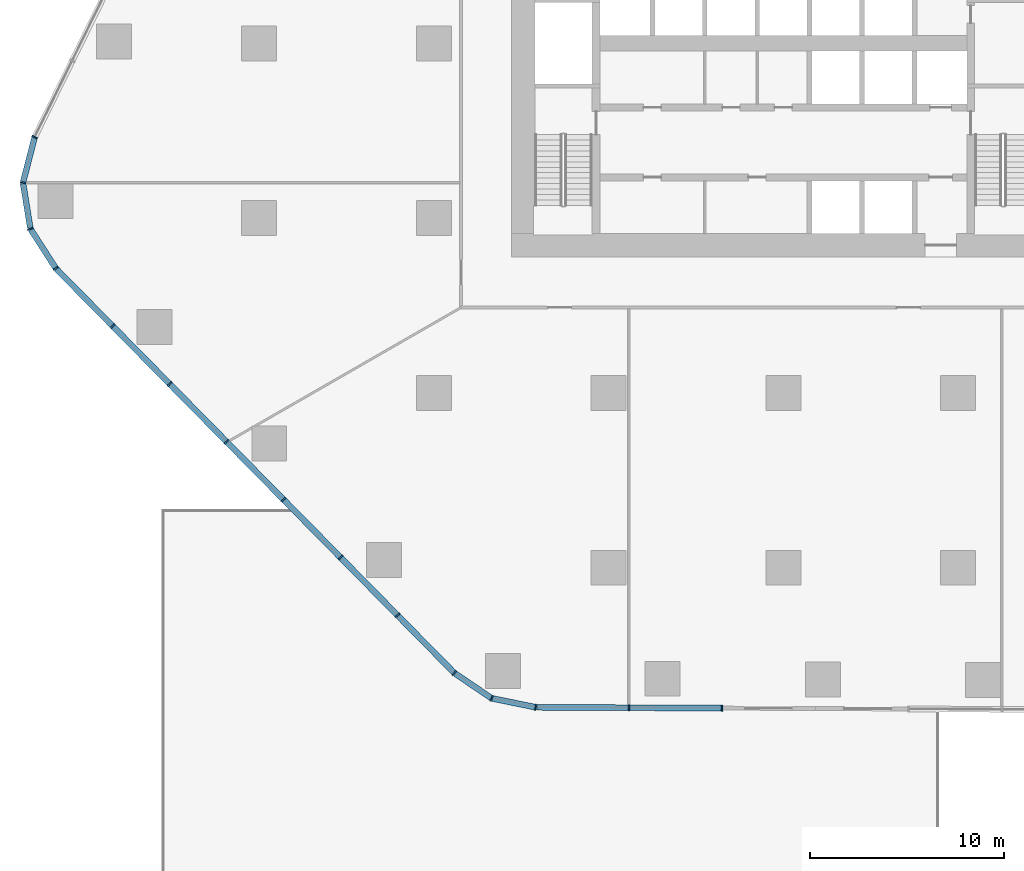
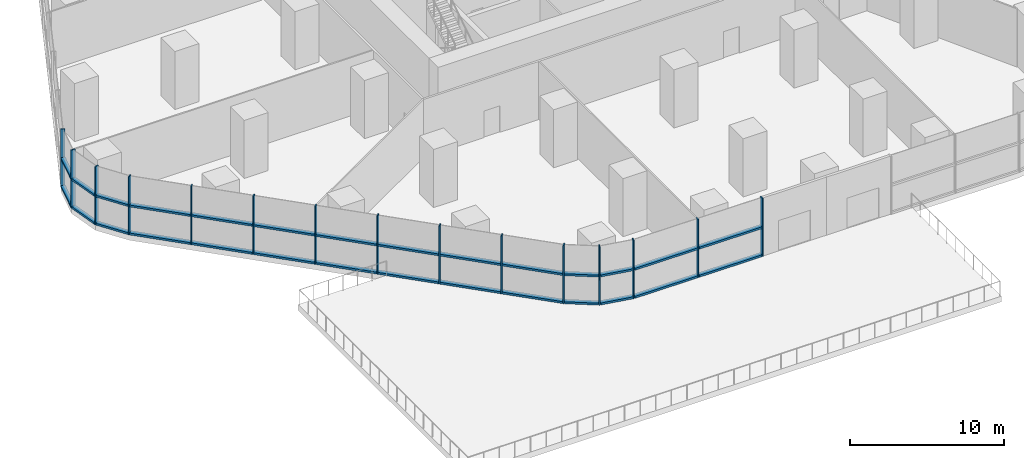
# One storey, part 2 of 15: 43 members, 5 elements without a shape of their own.
"""IFC4 building model written with IfcOpenShell, lengths in metres."""

from ifc_helpers import new_model, si_unit, direction, frame, origin, origin_2d, place, context, subcontext, project, spatial, rectangle, extrude, material, layer, layer_set, material_profile, profile_set, type_object, element, aggregate, save


model = new_model("IFC4")

# Units and contexts
model_context = context("Model", 3, precision=1e-05, world=origin(), true_north=direction((0.0, 1.0)))
body_context = subcontext(model_context, "Body", "Model", "MODEL_VIEW")
ifc_project = project(units=[si_unit("LENGTHUNIT", "METRE"), si_unit("AREAUNIT", "SQUARE_METRE"), si_unit("VOLUMEUNIT", "CUBIC_METRE"), si_unit("PLANEANGLEUNIT", "RADIAN"), si_unit("MASSUNIT", "GRAM", prefix="KILO")], contexts=[model_context])

# Site, building, storey
site_placement = place(None, origin())
site = spatial("IfcSite", under=ifc_project, at=site_placement, CompositionType="ELEMENT")
building_placement = place(site_placement, origin())
building = spatial("IfcBuilding", under=site, at=building_placement, Name="Dongbaek Canopy Tower", CompositionType="ELEMENT")
storey_placement = place(building_placement, frame((0.0, 0.0, 33.0)))
storey = spatial("IfcBuildingStorey", under=building, at=storey_placement, Name="L04", CompositionType="ELEMENT", Elevation=33.0)

# Curtain wall, member
ifc_material_1 = material(Name="Aluminium 6063-T6 pale anodised", Category="aluminium")
ifc_layer = layer(ifc_material_1, 0.300048828125)
ifc_layer_set = layer_set([ifc_layer], Name="CW-2 podium hall curtain wall")
curtain_wall_type = type_object("IfcCurtainWallType", Name="CW-2 podium hall curtain wall", PredefinedType="NOTDEFINED", material=ifc_layer_set)
curtain_wall_1_placement = place(storey_placement, origin())
curtain_wall_1 = element("IfcCurtainWall", 1, at=curtain_wall_1_placement, inside=storey, type_object=curtain_wall_type, Name="CW-2 curtain wall F2.1", PredefinedType="NOTDEFINED")
ifc_material_2 = material(Name="Aluminium 6063-T6 pale anodised", Category="aluminium")
ifc_material_profile_1 = material_profile(ifc_material_2, rectangle(XDim=0.300048828125, YDim=0.080078125, at=origin_2d()), Name="CW-2 mullion 80 x 300")
ifc_profile_set_1 = profile_set([ifc_material_profile_1], Name="Aluminium 6063-T6 pale anodised")
member_type_1 = type_object("IfcMemberType", Name="CW-2 mullion 80 x 300", PredefinedType="MULLION", material=ifc_profile_set_1)
member_1_placement = place(storey_placement, frame((-38.559814453125, -4.82763671875, 0.0), z_axis=(0.0, 0.0, 1.0), x_axis=(-0.897339166815, 0.441341613378, 0.0)))
member_1 = element("IfcMember", 2, at=member_1_placement, type_object=member_type_1, Name="CW-2 mullion F2.1.10", PredefinedType="MULLION", context=body_context, shape_type="SweptSolid", body=[
    extrude(rectangle(XDim=0.300048828125, YDim=0.080078125, at=origin_2d()), origin(), (0.0, 0.0, 1.0), 4.60009765625),
])
aggregate(curtain_wall_1, [member_1])

# Curtain wall, members
curtain_wall_2_placement = place(storey_placement, origin())
curtain_wall_2 = element("IfcCurtainWall", 3, at=curtain_wall_2_placement, inside=storey, type_object=curtain_wall_type, Name="CW-2 curtain wall K2.1", PredefinedType="NOTDEFINED")
member_2_placement = place(storey_placement, frame((-39.161865234375, -7.1728515625, 0.0), z_axis=(0.0, 0.0, 1.0), x_axis=(-0.998966870966, 0.045444369436, 0.0)))
member_2 = element("IfcMember", 4, at=member_2_placement, type_object=member_type_1, Name="CW-2 mullion K2.1.2", PredefinedType="MULLION", context=body_context, shape_type="SweptSolid", body=[
    extrude(rectangle(XDim=0.300048828125, YDim=0.080078125, at=origin_2d()), origin(), (0.0, 0.0, 1.0), 4.60009765625),
])
member_3_placement = place(storey_placement, frame((-38.77685546875, -9.552490234375, 0.0), z_axis=(0.0, 0.0, 1.0), x_axis=(-0.933704344441, -0.358044965295, 0.0)))
member_3 = element("IfcMember", 5, at=member_3_placement, type_object=member_type_1, Name="CW-2 mullion K2.1.3", PredefinedType="MULLION", context=body_context, shape_type="SweptSolid", body=[
    extrude(rectangle(XDim=0.300048828125, YDim=0.080078125, at=origin_2d()), origin(), (0.0, 0.0, 1.0), 4.60009765625),
])
member_4_placement = place(storey_placement, frame((-37.46630859375, -11.58837890625, 0.0), z_axis=(0.0, 0.0, 1.0), x_axis=(-0.840825723493, -0.541305923405, 0.0)))
member_4 = element("IfcMember", 6, at=member_4_placement, type_object=member_type_1, Name="CW-2 mullion K2.1.4", PredefinedType="MULLION", context=body_context, shape_type="SweptSolid", body=[
    extrude(rectangle(XDim=0.300048828125, YDim=0.080078125, at=origin_2d()), origin(), (0.0, 0.0, 1.0), 4.60009765625),
])

curtain_wall_3_placement = place(storey_placement, origin())
curtain_wall_3 = element("IfcCurtainWall", 7, at=curtain_wall_3_placement, inside=storey, type_object=curtain_wall_type, Name="CW-2 curtain wall F3.1", PredefinedType="NOTDEFINED")
member_5_placement = place(storey_placement, frame((-34.540283203125, -14.55908203125, 0.0), z_axis=(0.0, 0.0, 1.0), x_axis=(-0.712454553863, -0.701718254486, 0.0)))
member_5 = element("IfcMember", 8, at=member_5_placement, type_object=member_type_1, Name="CW-2 mullion F3.1.2", PredefinedType="MULLION", context=body_context, shape_type="SweptSolid", body=[
    extrude(rectangle(XDim=0.300048828125, YDim=0.080078125, at=origin_2d()), origin(), (0.0, 0.0, 1.0), 4.60009765625),
])
member_6_placement = place(storey_placement, frame((-31.607177734375, -17.537109375, 0.0), z_axis=(0.0, 0.0, 1.0), x_axis=(-0.712454553863, -0.701718254486, 0.0)))
member_6 = element("IfcMember", 9, at=member_6_placement, type_object=member_type_1, Name="CW-2 mullion F3.1.3", PredefinedType="MULLION", context=body_context, shape_type="SweptSolid", body=[
    extrude(rectangle(XDim=0.300048828125, YDim=0.080078125, at=origin_2d()), origin(), (0.0, 0.0, 1.0), 4.60009765625),
])
member_7_placement = place(storey_placement, frame((-28.674072265625, -20.515380859375, 0.0), z_axis=(0.0, 0.0, 1.0), x_axis=(-0.712454553863, -0.701718254486, 0.0)))
member_7 = element("IfcMember", 10, at=member_7_placement, type_object=member_type_1, Name="CW-2 mullion F3.1.4", PredefinedType="MULLION", context=body_context, shape_type="SweptSolid", body=[
    extrude(rectangle(XDim=0.300048828125, YDim=0.080078125, at=origin_2d()), origin(), (0.0, 0.0, 1.0), 4.60009765625),
])
member_8_placement = place(storey_placement, frame((-25.74072265625, -23.493408203125, 0.0), z_axis=(0.0, 0.0, 1.0), x_axis=(-0.712454553863, -0.701718254486, 0.0)))
member_8 = element("IfcMember", 11, at=member_8_placement, type_object=member_type_1, Name="CW-2 mullion F3.1.5", PredefinedType="MULLION", context=body_context, shape_type="SweptSolid", body=[
    extrude(rectangle(XDim=0.300048828125, YDim=0.080078125, at=origin_2d()), origin(), (0.0, 0.0, 1.0), 4.60009765625),
])
member_9_placement = place(storey_placement, frame((-22.8076171875, -26.471435546875, 0.0), z_axis=(0.0, 0.0, 1.0), x_axis=(-0.712454553863, -0.701718254486, 0.0)))
member_9 = element("IfcMember", 12, at=member_9_placement, type_object=member_type_1, Name="CW-2 mullion F3.1.6", PredefinedType="MULLION", context=body_context, shape_type="SweptSolid", body=[
    extrude(rectangle(XDim=0.300048828125, YDim=0.080078125, at=origin_2d()), origin(), (0.0, 0.0, 1.0), 4.60009765625),
])
member_10_placement = place(storey_placement, frame((-19.87451171875, -29.449462890625, 0.0), z_axis=(0.0, 0.0, 1.0), x_axis=(-0.712454553863, -0.701718254486, 0.0)))
member_10 = element("IfcMember", 13, at=member_10_placement, type_object=member_type_1, Name="CW-2 mullion F3.1.7", PredefinedType="MULLION", context=body_context, shape_type="SweptSolid", body=[
    extrude(rectangle(XDim=0.300048828125, YDim=0.080078125, at=origin_2d()), origin(), (0.0, 0.0, 1.0), 4.60009765625),
])
member_11_placement = place(storey_placement, frame((-16.9482421875, -32.42041015625, 0.0), z_axis=(0.0, 0.0, 1.0), x_axis=(-0.712454553863, -0.701718254486, 0.0)))
member_11 = element("IfcMember", 14, at=member_11_placement, type_object=member_type_1, Name="CW-2 mullion F3.1.8", PredefinedType="MULLION", context=body_context, shape_type="SweptSolid", body=[
    extrude(rectangle(XDim=0.300048828125, YDim=0.080078125, at=origin_2d()), origin(), (0.0, 0.0, 1.0), 4.60009765625),
])

curtain_wall_4_placement = place(storey_placement, origin())
curtain_wall_4 = element("IfcCurtainWall", 15, at=curtain_wall_4_placement, inside=storey, type_object=curtain_wall_type, Name="CW-2 curtain wall K3.1", PredefinedType="NOTDEFINED")
member_12_placement = place(storey_placement, frame((-15.027587890625, -33.722900390625, 0.0), z_axis=(0.0, 0.0, 1.0), x_axis=(-0.388246368734, -0.921555618053, 0.0)))
member_12 = element("IfcMember", 16, at=member_12_placement, type_object=member_type_1, Name="CW-2 mullion K3.1.2", PredefinedType="MULLION", context=body_context, shape_type="SweptSolid", body=[
    extrude(rectangle(XDim=0.300048828125, YDim=0.080078125, at=origin_2d()), origin(), (0.0, 0.0, 1.0), 4.60009765625),
])
member_13_placement = place(storey_placement, frame((-12.754150390625, -34.1875, 0.0), z_axis=(0.0, 0.0, 1.0), x_axis=(-0.200233961622, -0.979748110799, 0.0)))
member_13 = element("IfcMember", 17, at=member_13_placement, type_object=member_type_1, Name="CW-2 mullion K3.1.3", PredefinedType="MULLION", context=body_context, shape_type="SweptSolid", body=[
    extrude(rectangle(XDim=0.300048828125, YDim=0.080078125, at=origin_2d()), origin(), (0.0, 0.0, 1.0), 4.60009765625),
])

curtain_wall_5_placement = place(storey_placement, origin())
curtain_wall_5 = element("IfcCurtainWall", 18, at=curtain_wall_5_placement, inside=storey, type_object=curtain_wall_type, Name="CW-2 curtain wall F4.1", PredefinedType="NOTDEFINED")
member_14_placement = place(storey_placement, frame((-7.96240234375, -34.208740234375, 0.0), z_axis=(0.0, 0.0, 1.0), x_axis=(-0.004466138597, -0.999990026753, 0.0)))
member_14 = element("IfcMember", 19, at=member_14_placement, type_object=member_type_1, Name="CW-2 mullion F4.1.2", PredefinedType="MULLION", context=body_context, shape_type="SweptSolid", body=[
    extrude(rectangle(XDim=0.300048828125, YDim=0.080078125, at=origin_2d()), origin(), (0.0, 0.0, 1.0), 4.60009765625),
])
member_15_placement = place(storey_placement, frame((-3.16064453125, -34.230224609375, 0.0), z_axis=(0.0, 0.0, 1.0), x_axis=(-0.004466138597, -0.999990026753, 0.0)))
member_15 = element("IfcMember", 20, at=member_15_placement, type_object=member_type_1, Name="CW-2 mullion F4.1.3", PredefinedType="MULLION", context=body_context, shape_type="SweptSolid", body=[
    extrude(rectangle(XDim=0.300048828125, YDim=0.080078125, at=origin_2d()), origin(), (0.0, 0.0, 1.0), 4.60009765625),
])

# Member
ifc_material_3 = material(Name="Aluminium 6063-T6 pale anodised", Category="aluminium")
ifc_material_profile_2 = material_profile(ifc_material_3, rectangle(XDim=0.300048828125, YDim=0.159912109375, at=origin_2d()), Name="CW-2 transom 160 x 300")
ifc_profile_set_2 = profile_set([ifc_material_profile_2], Name="Aluminium 6063-T6 pale anodised")
member_type_2 = type_object("IfcMemberType", Name="CW-2 transom 160 x 300", PredefinedType="USERDEFINED", material=ifc_profile_set_2)
member_16_placement = place(storey_placement, frame((-38.57275390625, -4.878173828125, 0.080078125), z_axis=(-0.248654181882, -0.968592327985, 0.0), x_axis=(0.968592327985, -0.248654181882, 0.0)))
member_16 = element("IfcMember", 21, at=member_16_placement, type_object=member_type_2, Name="CW-2 transom K2.1.1.1", ObjectType="TRANSOM", PredefinedType="USERDEFINED", context=body_context, shape_type="SweptSolid", body=[
    extrude(rectangle(XDim=0.300048828125, YDim=0.159912109375, at=origin_2d()), origin(), (0.0, 0.0, 1.0), 2.317138671875),
])

member_17_placement = place(storey_placement, frame((-38.57275390625, -4.878173828125, 2.300048828125), z_axis=(-0.248654181882, -0.968592327985, 0.0), x_axis=(0.968592327985, -0.248654181882, 0.0)))
member_17 = element("IfcMember", 22, at=member_17_placement, type_object=member_type_2, Name="CW-2 transom K2.1.1.2", ObjectType="TRANSOM", PredefinedType="USERDEFINED", context=body_context, shape_type="SweptSolid", body=[
    extrude(rectangle(XDim=0.300048828125, YDim=0.159912109375, at=origin_2d()), origin(), (0.0, 0.0, 1.0), 2.317138671875),
])

member_18_placement = place(storey_placement, frame((-39.153564453125, -7.22412109375, 0.080078125), z_axis=(0.15971159543, -0.987163718076, 0.0), x_axis=(0.987163718076, 0.15971159543, 0.0)))
member_18 = element("IfcMember", 23, at=member_18_placement, type_object=member_type_2, Name="CW-2 transom K2.1.2.1", ObjectType="TRANSOM", PredefinedType="USERDEFINED", context=body_context, shape_type="SweptSolid", body=[
    extrude(rectangle(XDim=0.300048828125, YDim=0.159912109375, at=origin_2d()), origin(), (0.0, 0.0, 1.0), 2.306640625),
])

member_19_placement = place(storey_placement, frame((-39.153564453125, -7.22412109375, 2.300048828125), z_axis=(0.15971159543, -0.987163718076, 0.0), x_axis=(0.987163718076, 0.15971159543, 0.0)))
member_19 = element("IfcMember", 24, at=member_19_placement, type_object=member_type_2, Name="CW-2 transom K2.1.2.2", ObjectType="TRANSOM", PredefinedType="USERDEFINED", context=body_context, shape_type="SweptSolid", body=[
    extrude(rectangle(XDim=0.300048828125, YDim=0.159912109375, at=origin_2d()), origin(), (0.0, 0.0, 1.0), 2.306640625),
])

member_20_placement = place(storey_placement, frame((-38.748779296875, -9.59619140625, 0.080078125), z_axis=(0.54130592275, -0.840825723914, 0.0), x_axis=(0.840825723914, 0.54130592275, 0.0)))
member_20 = element("IfcMember", 25, at=member_20_placement, type_object=member_type_2, Name="CW-2 transom K2.1.3.1", ObjectType="TRANSOM", PredefinedType="USERDEFINED", context=body_context, shape_type="SweptSolid", body=[
    extrude(rectangle(XDim=0.300048828125, YDim=0.159912109375, at=origin_2d()), origin(), (0.0, 0.0, 1.0), 2.3173828125),
])

member_21_placement = place(storey_placement, frame((-38.748779296875, -9.59619140625, 2.300048828125), z_axis=(0.54130592275, -0.840825723914, 0.0), x_axis=(0.840825723914, 0.54130592275, 0.0)))
member_21 = element("IfcMember", 26, at=member_21_placement, type_object=member_type_2, Name="CW-2 transom K2.1.3.2", ObjectType="TRANSOM", PredefinedType="USERDEFINED", context=body_context, shape_type="SweptSolid", body=[
    extrude(rectangle(XDim=0.300048828125, YDim=0.159912109375, at=origin_2d()), origin(), (0.0, 0.0, 1.0), 2.3173828125),
])

aggregate(curtain_wall_2, [member_2, member_3, member_4, member_16, member_17, member_18, member_19, member_20, member_21])

member_22_placement = place(storey_placement, frame((-37.429931640625, -11.62548828125, 0.080078125), z_axis=(0.701742150201, -0.712431017455, 0.0), x_axis=(0.712431017455, 0.701742150201, 0.0)))
member_22 = element("IfcMember", 27, at=member_22_placement, type_object=member_type_2, Name="CW-2 transom F3.1.1.1", ObjectType="TRANSOM", PredefinedType="USERDEFINED", context=body_context, shape_type="SweptSolid", body=[
    extrude(rectangle(XDim=0.300048828125, YDim=0.159912109375, at=origin_2d()), origin(), (0.0, 0.0, 1.0), 4.065673828125),
])

member_23_placement = place(storey_placement, frame((-37.429931640625, -11.62548828125, 2.300048828125), z_axis=(0.701742150201, -0.712431017455, 0.0), x_axis=(0.712431017455, 0.701742150201, 0.0)))
member_23 = element("IfcMember", 28, at=member_23_placement, type_object=member_type_2, Name="CW-2 transom F3.1.1.2", ObjectType="TRANSOM", PredefinedType="USERDEFINED", context=body_context, shape_type="SweptSolid", body=[
    extrude(rectangle(XDim=0.300048828125, YDim=0.159912109375, at=origin_2d()), origin(), (0.0, 0.0, 1.0), 4.065673828125),
])

member_24_placement = place(storey_placement, frame((-34.50390625, -14.59619140625, 0.080078125), z_axis=(0.701695485891, -0.712476978632, 0.0), x_axis=(0.712476978632, 0.701695485891, 0.0)))
member_24 = element("IfcMember", 29, at=member_24_placement, type_object=member_type_2, Name="CW-2 transom F3.1.2.1", ObjectType="TRANSOM", PredefinedType="USERDEFINED", context=body_context, shape_type="SweptSolid", body=[
    extrude(rectangle(XDim=0.300048828125, YDim=0.159912109375, at=origin_2d()), origin(), (0.0, 0.0, 1.0), 4.075927734375),
])

member_25_placement = place(storey_placement, frame((-34.50390625, -14.59619140625, 2.300048828125), z_axis=(0.701695485891, -0.712476978632, 0.0), x_axis=(0.712476978632, 0.701695485891, 0.0)))
member_25 = element("IfcMember", 30, at=member_25_placement, type_object=member_type_2, Name="CW-2 transom F3.1.2.2", ObjectType="TRANSOM", PredefinedType="USERDEFINED", context=body_context, shape_type="SweptSolid", body=[
    extrude(rectangle(XDim=0.300048828125, YDim=0.159912109375, at=origin_2d()), origin(), (0.0, 0.0, 1.0), 4.075927734375),
])

member_26_placement = place(storey_placement, frame((-31.57080078125, -17.57421875, 0.080078125), z_axis=(0.701725889188, -0.712447034132, 0.0), x_axis=(0.712447034132, 0.701725889188, 0.0)))
member_26 = element("IfcMember", 31, at=member_26_placement, type_object=member_type_2, Name="CW-2 transom F3.1.3.1", ObjectType="TRANSOM", PredefinedType="USERDEFINED", context=body_context, shape_type="SweptSolid", body=[
    extrude(rectangle(XDim=0.300048828125, YDim=0.159912109375, at=origin_2d()), origin(), (0.0, 0.0, 1.0), 4.076171875),
])

member_27_placement = place(storey_placement, frame((-31.57080078125, -17.57421875, 2.300048828125), z_axis=(0.701725889188, -0.712447034132, 0.0), x_axis=(0.712447034132, 0.701725889188, 0.0)))
member_27 = element("IfcMember", 32, at=member_27_placement, type_object=member_type_2, Name="CW-2 transom F3.1.3.2", ObjectType="TRANSOM", PredefinedType="USERDEFINED", context=body_context, shape_type="SweptSolid", body=[
    extrude(rectangle(XDim=0.300048828125, YDim=0.159912109375, at=origin_2d()), origin(), (0.0, 0.0, 1.0), 4.076171875),
])

member_28_placement = place(storey_placement, frame((-28.637451171875, -20.55224609375, 0.080078125), z_axis=(0.701695485891, -0.712476978632, 0.0), x_axis=(0.712476978632, 0.701695485891, 0.0)))
member_28 = element("IfcMember", 33, at=member_28_placement, type_object=member_type_2, Name="CW-2 transom F3.1.4.1", ObjectType="TRANSOM", PredefinedType="USERDEFINED", context=body_context, shape_type="SweptSolid", body=[
    extrude(rectangle(XDim=0.300048828125, YDim=0.159912109375, at=origin_2d()), origin(), (0.0, 0.0, 1.0), 4.075927734375),
])

member_29_placement = place(storey_placement, frame((-28.637451171875, -20.55224609375, 2.300048828125), z_axis=(0.701695485891, -0.712476978632, 0.0), x_axis=(0.712476978632, 0.701695485891, 0.0)))
member_29 = element("IfcMember", 34, at=member_29_placement, type_object=member_type_2, Name="CW-2 transom F3.1.4.2", ObjectType="TRANSOM", PredefinedType="USERDEFINED", context=body_context, shape_type="SweptSolid", body=[
    extrude(rectangle(XDim=0.300048828125, YDim=0.159912109375, at=origin_2d()), origin(), (0.0, 0.0, 1.0), 4.075927734375),
])

member_30_placement = place(storey_placement, frame((-25.704345703125, -23.5302734375, 0.080078125), z_axis=(0.701725889188, -0.712447034132, 0.0), x_axis=(0.712447034132, 0.701725889188, 0.0)))
member_30 = element("IfcMember", 35, at=member_30_placement, type_object=member_type_2, Name="CW-2 transom F3.1.5.1", ObjectType="TRANSOM", PredefinedType="USERDEFINED", context=body_context, shape_type="SweptSolid", body=[
    extrude(rectangle(XDim=0.300048828125, YDim=0.159912109375, at=origin_2d()), origin(), (0.0, 0.0, 1.0), 4.076171875),
])

member_31_placement = place(storey_placement, frame((-25.704345703125, -23.5302734375, 2.300048828125), z_axis=(0.701725889188, -0.712447034132, 0.0), x_axis=(0.712447034132, 0.701725889188, 0.0)))
member_31 = element("IfcMember", 36, at=member_31_placement, type_object=member_type_2, Name="CW-2 transom F3.1.5.2", ObjectType="TRANSOM", PredefinedType="USERDEFINED", context=body_context, shape_type="SweptSolid", body=[
    extrude(rectangle(XDim=0.300048828125, YDim=0.159912109375, at=origin_2d()), origin(), (0.0, 0.0, 1.0), 4.076171875),
])

member_32_placement = place(storey_placement, frame((-22.77099609375, -26.508544921875, 0.080078125), z_axis=(0.701725431659, -0.712447484776, 0.0), x_axis=(0.712447484776, 0.701725431659, 0.0)))
member_32 = element("IfcMember", 37, at=member_32_placement, type_object=member_type_2, Name="CW-2 transom F3.1.6.1", ObjectType="TRANSOM", PredefinedType="USERDEFINED", context=body_context, shape_type="SweptSolid", body=[
    extrude(rectangle(XDim=0.300048828125, YDim=0.159912109375, at=origin_2d()), origin(), (0.0, 0.0, 1.0), 4.075927734375),
])

member_33_placement = place(storey_placement, frame((-22.77099609375, -26.508544921875, 2.300048828125), z_axis=(0.701725431659, -0.712447484776, 0.0), x_axis=(0.712447484776, 0.701725431659, 0.0)))
member_33 = element("IfcMember", 38, at=member_33_placement, type_object=member_type_2, Name="CW-2 transom F3.1.6.2", ObjectType="TRANSOM", PredefinedType="USERDEFINED", context=body_context, shape_type="SweptSolid", body=[
    extrude(rectangle(XDim=0.300048828125, YDim=0.159912109375, at=origin_2d()), origin(), (0.0, 0.0, 1.0), 4.075927734375),
])

member_34_placement = place(storey_placement, frame((-19.837890625, -29.486572265625, 0.080078125), z_axis=(0.701712589178, -0.712460133754, 0.0), x_axis=(0.712460133754, 0.701712589178, 0.0)))
member_34 = element("IfcMember", 39, at=member_34_placement, type_object=member_type_2, Name="CW-2 transom F3.1.7.1", ObjectType="TRANSOM", PredefinedType="USERDEFINED", context=body_context, shape_type="SweptSolid", body=[
    extrude(rectangle(XDim=0.300048828125, YDim=0.159912109375, at=origin_2d()), origin(), (0.0, 0.0, 1.0), 4.066162109375),
])

member_35_placement = place(storey_placement, frame((-19.837890625, -29.486572265625, 2.300048828125), z_axis=(0.701712589178, -0.712460133754, 0.0), x_axis=(0.712460133754, 0.701712589178, 0.0)))
member_35 = element("IfcMember", 40, at=member_35_placement, type_object=member_type_2, Name="CW-2 transom F3.1.7.2", ObjectType="TRANSOM", PredefinedType="USERDEFINED", context=body_context, shape_type="SweptSolid", body=[
    extrude(rectangle(XDim=0.300048828125, YDim=0.159912109375, at=origin_2d()), origin(), (0.0, 0.0, 1.0), 4.066162109375),
])

aggregate(curtain_wall_3, [member_5, member_6, member_7, member_8, member_9, member_10, member_11, member_22, member_23, member_24, member_25, member_26, member_27, member_28, member_29, member_30, member_31, member_32, member_33, member_34, member_35])

member_36_placement = place(storey_placement, frame((-16.905029296875, -32.44970703125, 0.080078125), z_axis=(0.827669474246, -0.561215859899, 0.0), x_axis=(0.561215859899, 0.827669474246, 0.0)))
member_36 = element("IfcMember", 41, at=member_36_placement, type_object=member_type_2, Name="CW-2 transom K3.1.1.1", ObjectType="TRANSOM", PredefinedType="USERDEFINED", context=body_context, shape_type="SweptSolid", body=[
    extrude(rectangle(XDim=0.300048828125, YDim=0.159912109375, at=origin_2d()), origin(), (0.0, 0.0, 1.0), 2.216552734375),
])

member_37_placement = place(storey_placement, frame((-16.905029296875, -32.44970703125, 2.300048828125), z_axis=(0.827669474246, -0.561215859899, 0.0), x_axis=(0.561215859899, 0.827669474246, 0.0)))
member_37 = element("IfcMember", 42, at=member_37_placement, type_object=member_type_2, Name="CW-2 transom K3.1.1.2", ObjectType="TRANSOM", PredefinedType="USERDEFINED", context=body_context, shape_type="SweptSolid", body=[
    extrude(rectangle(XDim=0.300048828125, YDim=0.159912109375, at=origin_2d()), origin(), (0.0, 0.0, 1.0), 2.216552734375),
])

member_38_placement = place(storey_placement, frame((-14.9765625, -33.733154296875, 0.080078125), z_axis=(0.979741466367, -0.200266470188, 0.0), x_axis=(0.200266470188, 0.979741466367, 0.0)))
member_38 = element("IfcMember", 43, at=member_38_placement, type_object=member_type_2, Name="CW-2 transom K3.1.2.1", ObjectType="TRANSOM", PredefinedType="USERDEFINED", context=body_context, shape_type="SweptSolid", body=[
    extrude(rectangle(XDim=0.300048828125, YDim=0.159912109375, at=origin_2d()), origin(), (0.0, 0.0, 1.0), 2.21630859375),
])

member_39_placement = place(storey_placement, frame((-14.9765625, -33.733154296875, 2.300048828125), z_axis=(0.979741466367, -0.200266470188, 0.0), x_axis=(0.200266470188, 0.979741466367, 0.0)))
member_39 = element("IfcMember", 44, at=member_39_placement, type_object=member_type_2, Name="CW-2 transom K3.1.2.2", ObjectType="TRANSOM", PredefinedType="USERDEFINED", context=body_context, shape_type="SweptSolid", body=[
    extrude(rectangle(XDim=0.300048828125, YDim=0.159912109375, at=origin_2d()), origin(), (0.0, 0.0, 1.0), 2.21630859375),
])

aggregate(curtain_wall_4, [member_12, member_13, member_36, member_37, member_38, member_39])

member_40_placement = place(storey_placement, frame((-12.7021484375, -34.187744140625, 0.080078125), z_axis=(0.999990201631, -0.004426809392, 0.0), x_axis=(0.004426809392, 0.999990201631, 0.0)))
member_40 = element("IfcMember", 45, at=member_40_placement, type_object=member_type_2, Name="CW-2 transom F4.1.1.1", ObjectType="TRANSOM", PredefinedType="USERDEFINED", context=body_context, shape_type="SweptSolid", body=[
    extrude(rectangle(XDim=0.300048828125, YDim=0.159912109375, at=origin_2d()), origin(), (0.0, 0.0, 1.0), 4.687744140625),
])

member_41_placement = place(storey_placement, frame((-12.7021484375, -34.187744140625, 2.300048828125), z_axis=(0.999990201631, -0.004426809392, 0.0), x_axis=(0.004426809392, 0.999990201631, 0.0)))
member_41 = element("IfcMember", 46, at=member_41_placement, type_object=member_type_2, Name="CW-2 transom F4.1.1.2", ObjectType="TRANSOM", PredefinedType="USERDEFINED", context=body_context, shape_type="SweptSolid", body=[
    extrude(rectangle(XDim=0.300048828125, YDim=0.159912109375, at=origin_2d()), origin(), (0.0, 0.0, 1.0), 4.687744140625),
])

member_42_placement = place(storey_placement, frame((-7.910400390625, -34.208984375, 0.080078125), z_axis=(0.999990012427, -0.004469345238, 0.0), x_axis=(0.004469345238, 0.999990012427, 0.0)))
member_42 = element("IfcMember", 47, at=member_42_placement, type_object=member_type_2, Name="CW-2 transom F4.1.2.1", ObjectType="TRANSOM", PredefinedType="USERDEFINED", context=body_context, shape_type="SweptSolid", body=[
    extrude(rectangle(XDim=0.300048828125, YDim=0.159912109375, at=origin_2d()), origin(), (0.0, 0.0, 1.0), 4.69775390625),
])

member_43_placement = place(storey_placement, frame((-7.910400390625, -34.208984375, 2.300048828125), z_axis=(0.999990012427, -0.004469345238, 0.0), x_axis=(0.004469345238, 0.999990012427, 0.0)))
member_43 = element("IfcMember", 48, at=member_43_placement, type_object=member_type_2, Name="CW-2 transom F4.1.2.2", ObjectType="TRANSOM", PredefinedType="USERDEFINED", context=body_context, shape_type="SweptSolid", body=[
    extrude(rectangle(XDim=0.300048828125, YDim=0.159912109375, at=origin_2d()), origin(), (0.0, 0.0, 1.0), 4.69775390625),
])

aggregate(curtain_wall_5, [member_14, member_15, member_40, member_41, member_42, member_43])

save(model, "model.ifc")
